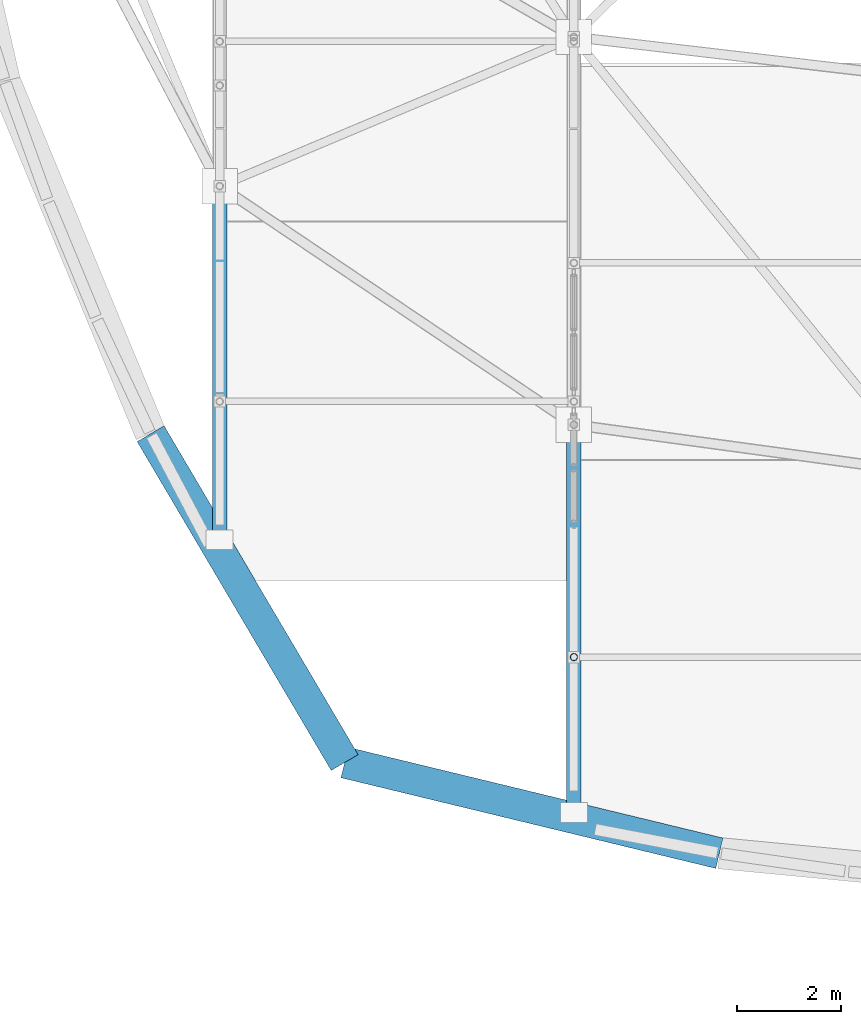
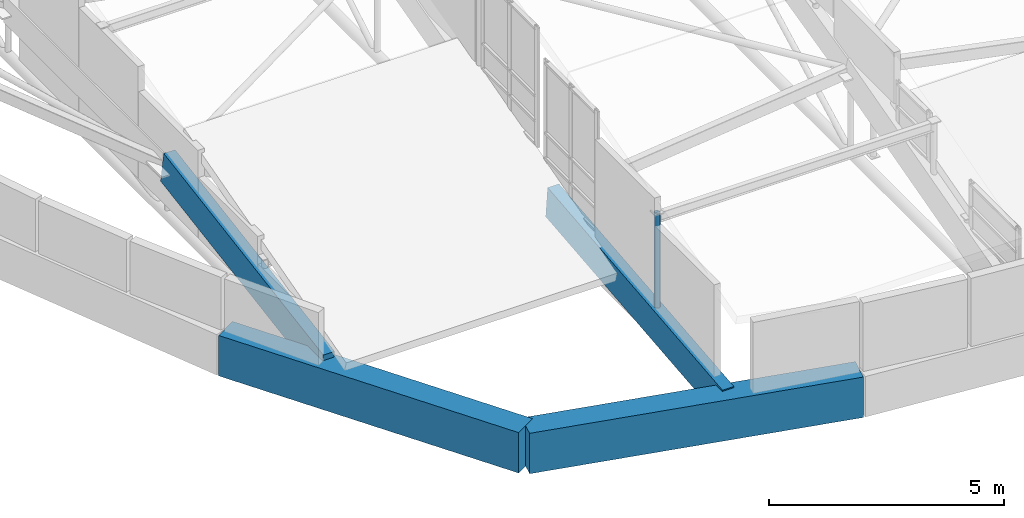
# One storey, part 2 of 188: 3 members, 2 beams.
"""IFC4 building model written with IfcOpenShell, lengths in metres."""

from ifc_helpers import new_model, si_unit, direction, frame, origin, origin_2d, place, context, subcontext, project, spatial, rectangle, hollow_circle, extrude, material, material_profile, profile_set, type_object, element, save


model = new_model("IFC4")

# Units and contexts
model_context = context("Model", 3, precision=1e-05, world=origin(), true_north=direction((0.0, 1.0)))
body_context = subcontext(model_context, "Body", "Model", "MODEL_VIEW")
ifc_project = project(units=[si_unit("LENGTHUNIT", "METRE"), si_unit("AREAUNIT", "SQUARE_METRE"), si_unit("VOLUMEUNIT", "CUBIC_METRE"), si_unit("PLANEANGLEUNIT", "RADIAN"), si_unit("MASSUNIT", "GRAM", prefix="KILO")], contexts=[model_context])

# Site, building, storey
site_placement = place(None, origin())
site = spatial("IfcSite", under=ifc_project, at=site_placement, CompositionType="ELEMENT")
building_placement = place(site_placement, origin())
building = spatial("IfcBuilding", under=site, at=building_placement, Name="Kisaragi Civic Commons", CompositionType="ELEMENT")
storey_placement = place(building_placement, frame((0.0, 0.0, 9.60009765625)))
storey = spatial("IfcBuildingStorey", under=building, at=storey_placement, Name="L02", CompositionType="ELEMENT", Elevation=9.60009765625)

# Beams
ifc_material_1 = material(Name="Concrete Fc36", Category="concrete")
ifc_material_profile_1 = material_profile(ifc_material_1, rectangle(XDim=0.60009765625, YDim=1.050048828125, at=origin_2d()), Name="RC-600x1050", Category="concrete")
ifc_profile_set_1 = profile_set([ifc_material_profile_1], Name="Concrete Fc36")
beam_type = type_object("IfcBeamType", Name="G-06", PredefinedType="BEAM", material=ifc_profile_set_1)
beam_1_placement = place(storey_placement, frame((5.474609375, 10.11376953125, -0.84521484375), z_axis=(0.508173812622, -0.861254536223, 0.0), x_axis=(0.861254536223, 0.508173812622, 0.0)))
element("IfcBeam", 1, at=beam_1_placement, inside=storey, type_object=beam_type, Name="L02 curved spandrel/ring girder G-06 262", PredefinedType="BEAM", context=body_context, shape_type="SweptSolid", body=[
    extrude(rectangle(XDim=0.60009765625, YDim=1.050048828125, at=origin_2d()), origin(), (0.0, 0.0, 1.0), 7.330810546875),
])
beam_2_placement = place(storey_placement, frame((9.199951171875, 3.800048828125, -0.84521484375), z_axis=(0.971932874393, -0.235258342412, 0.0), x_axis=(0.235258342412, 0.971932874393, 0.0)))
element("IfcBeam", 2, at=beam_2_placement, inside=storey, type_object=beam_type, Name="L02 curved spandrel/ring girder G-06 263", PredefinedType="BEAM", context=body_context, shape_type="SweptSolid", body=[
    extrude(rectangle(XDim=0.60009765625, YDim=1.050048828125, at=origin_2d()), origin(), (0.0, 0.0, 1.0), 7.4033203125),
])

# Members
ifc_material_2 = material(Name="Glulam E120-F330", Category="wood")
ifc_material_profile_2 = material_profile(ifc_material_2, rectangle(XDim=0.280029296875, YDim=0.81005859375, at=origin_2d()), Name="GL-280x810", Category="wood")
ifc_profile_set_2 = profile_set([ifc_material_profile_2], Name="Glulam E120-F330")
member_type_1 = type_object("IfcMemberType", Name="GR-01", PredefinedType="RAFTER", material=ifc_profile_set_2)
member_1_placement = place(storey_placement, frame((6.800048828125, 8.076171875, -0.552490234375), z_axis=(0.0, 0.986672450189, 0.162719009456), x_axis=(-1.0, 0.0, 0.0)))
element("IfcMember", 3, at=member_1_placement, inside=storey, type_object=member_type_1, Name="V1 glulam arch rib GR-01 9", PredefinedType="RAFTER", context=body_context, shape_type="SweptSolid", body=[
    extrude(rectangle(XDim=0.280029296875, YDim=0.81005859375, at=origin_2d()), origin(), (0.0, 0.0, 1.0), 6.88232421875),
])
member_2_placement = place(storey_placement, frame((13.60009765625, 2.8408203125, -0.691162109375), z_axis=(0.0, 0.994944370406, 0.10042758484), x_axis=(-1.0, 0.0, 0.0)))
element("IfcMember", 4, at=member_2_placement, inside=storey, type_object=member_type_1, Name="V1 glulam arch rib GR-01 17", PredefinedType="RAFTER", context=body_context, shape_type="SweptSolid", body=[
    extrude(rectangle(XDim=0.280029296875, YDim=0.81005859375, at=origin_2d()), origin(), (0.0, 0.0, 1.0), 7.482666015625),
])
ifc_material_3 = material(Name="Steel SN490 (SN490B)", Category="steel")
ifc_material_profile_3 = material_profile(ifc_material_3, hollow_circle(Radius=0.06982421875, WallThickness=0.006103515625, at=origin_2d()), Name="CHS-139.8x6.0", Category="steel")
ifc_profile_set_3 = profile_set([ifc_material_profile_3], Name="Steel SN490 (SN490B)")
member_type_2 = type_object("IfcMemberType", Name="ST-H1", PredefinedType="STRUT", material=ifc_profile_set_3)
member_3_placement = place(storey_placement, frame((13.60009765625, 5.824462890625, -0.39013671875), z_axis=(0.0, 0.0, 1.0), x_axis=(1.0, 0.0, 0.0)))
element("IfcMember", 5, at=member_3_placement, inside=storey, type_object=member_type_2, Name="V1 clerestory monitor horizontal tie strut 3.2.1", PredefinedType="STRUT", context=body_context, shape_type="SweptSolid", body=[
    extrude(hollow_circle(Radius=0.06982421875, WallThickness=0.006103515625, at=origin_2d()), origin(), (0.0, 0.0, 1.0), 2.851318359375),
])

save(model, "model.ifc")
